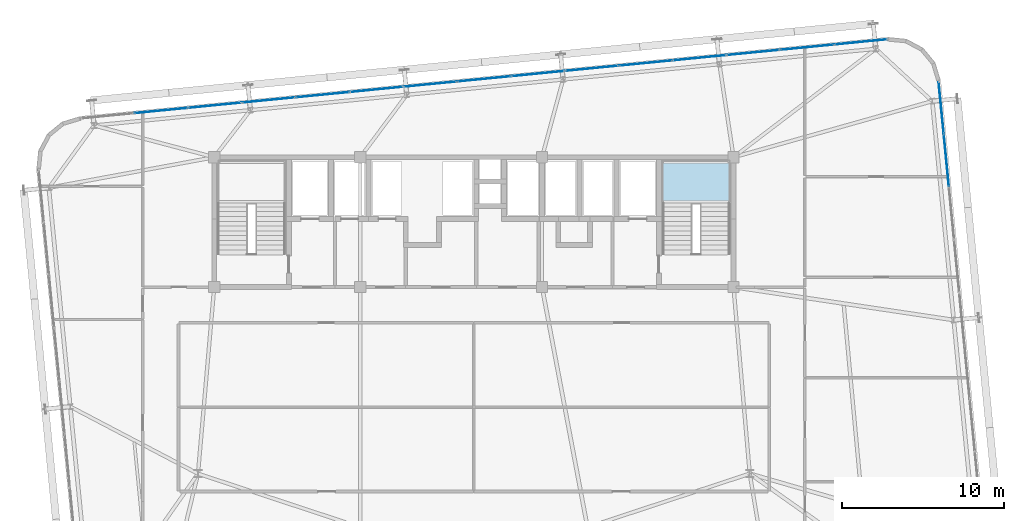
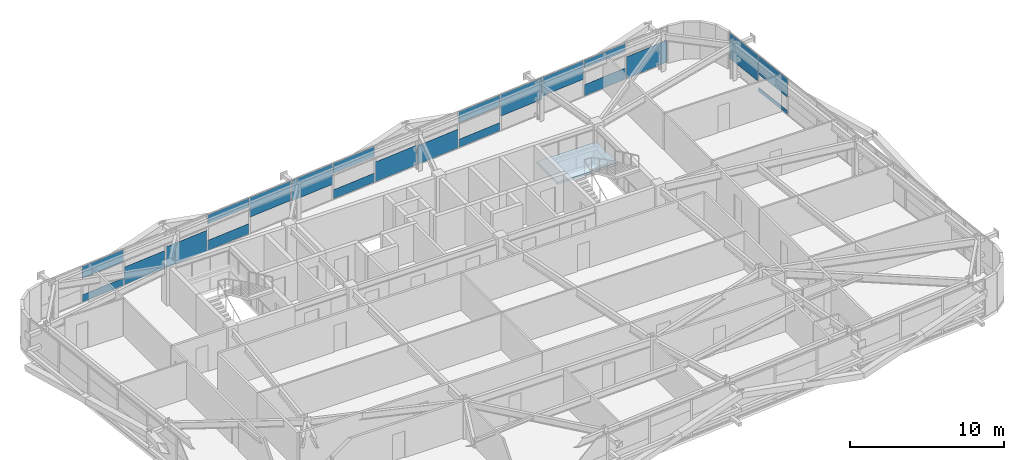
# One storey, part 37 of 52: 22 plates, 1 slab, 3 elements without a shape of their own.
"""IFC4 building model written with IfcOpenShell, lengths in metres."""

from ifc_helpers import new_model, si_unit, direction, frame, origin, origin_2d, place, context, subcontext, project, spatial, polyline, rectangle, outline, extrude, source, transform, mapped, material, layer, layer_set, type_object, element, aggregate, save


model = new_model("IFC4")

# Units and contexts
model_context = context("Model", 3, precision=1e-05, world=origin(), true_north=direction((0.0, 1.0)))
body_context = subcontext(model_context, "Body", "Model", "MODEL_VIEW")
ifc_project = project(units=[si_unit("LENGTHUNIT", "METRE"), si_unit("AREAUNIT", "SQUARE_METRE"), si_unit("VOLUMEUNIT", "CUBIC_METRE"), si_unit("PLANEANGLEUNIT", "RADIAN"), si_unit("MASSUNIT", "GRAM", prefix="KILO")], contexts=[model_context])

# Site, building, storey
site_placement = place(None, origin())
site = spatial("IfcSite", under=ifc_project, at=site_placement, CompositionType="ELEMENT")
building_placement = place(site_placement, origin())
building = spatial("IfcBuilding", under=site, at=building_placement, Name="Taldren Reach Tower", CompositionType="ELEMENT")
storey_placement = place(building_placement, frame((0.0, 0.0, 74.550048828125)))
storey = spatial("IfcBuildingStorey", under=building, at=storey_placement, Name="L22", CompositionType="ELEMENT", Elevation=74.550048828125)

# Stair, slab
ifc_material_1 = material(Name="Concrete S50 (50 MPa)", Category="concrete")
stair_type = type_object("IfcStairType", Name="ST-HT-315", PredefinedType="HALF_TURN_STAIR", material=ifc_material_1)
stair_placement = place(storey_placement, origin())
stair = element("IfcStair", 1, at=stair_placement, inside=storey, type_object=stair_type, Name="Fire-isolated exit stair ST2 L22", PredefinedType="HALF_TURN_STAIR")
ifc_layer_1 = layer(ifc_material_1, 0.179931640625)
ifc_layer_set_1 = layer_set([ifc_layer_1], Name="Concrete S50 (50 MPa)")
slab_type = type_object("IfcSlabType", Name="SL-LAND-180", PredefinedType="LANDING", material=ifc_layer_set_1)
slab_placement = place(storey_placement, frame((0.0, 0.0, 1.39501953125)))
slab = element("IfcSlab", 2, at=slab_placement, type_object=slab_type, Name="ST2 landing 1", PredefinedType="LANDING", context=body_context, shape_type="SweptSolid", body=[
    extrude(outline(polyline([(46.43994140625, 29.135009765625), (50.9599609375, 29.135009765625), (50.9599609375, 31.8701171875), (46.43994140625, 31.8701171875), (46.43994140625, 29.135009765625)])), origin(), (0.0, 0.0, 1.0), 0.179931640625),
])
aggregate(stair, [slab])

# Curtain wall, plates
ifc_material_2 = material(Name="Aluminium and Low-E Glass Unitised System", Category="aluminium")
ifc_layer_2 = layer(ifc_material_2, 0.159912109375)
ifc_layer_set_2 = layer_set([ifc_layer_2], Name="Aluminium and Low-E Glass Unitised System")
curtain_wall_type = type_object("IfcCurtainWallType", Name="CW-SYS-3", PredefinedType="NOTDEFINED", material=ifc_layer_set_2)
curtain_wall_1_placement = place(storey_placement, origin())
curtain_wall_1 = element("IfcCurtainWall", 3, at=curtain_wall_1_placement, inside=storey, type_object=curtain_wall_type, Name="Unitised curtain wall CW-L22-N", PredefinedType="NOTDEFINED")
ifc_material_3 = material(Name="Solar-Control Double Glazed IGU", Category="glass")
ifc_layer_3 = layer(ifc_material_3, 0.031982421875)
ifc_layer_set_3 = layer_set([ifc_layer_3], Name="Solar-Control Double Glazed IGU")
plate_type = type_object("IfcPlateType", Name="CW-PNL-IGU32", PredefinedType="CURTAIN_PANEL", material=ifc_layer_set_3)
shared_shape_1 = source(origin(), body_context, "Body", "SweptSolid", [
    extrude(rectangle(XDim=3.23583984375, YDim=0.031982421875, at=origin_2d()), origin(), (0.0, 0.0, 1.0), 1.72509765625),
])
plate_1_placement = place(storey_placement, frame((58.83740234375, 39.101318359375, 0.054931640625), z_axis=(0.0, 0.0, 1.0), x_axis=(-0.995227390247, -0.097582999046, 0.0)))
plate_1 = element("IfcPlate", 4, at=plate_1_placement, type_object=plate_type, Name="CW-3 panel 1.1 part 1", PredefinedType="CURTAIN_PANEL", context=body_context, shape_type="MappedRepresentation", body=[
    mapped(shared_shape_1, transform((0.0, 0.0, 0.0), scale=1.0)),
])
shared_shape_2 = source(origin(), body_context, "Body", "SweptSolid", [
    extrude(rectangle(XDim=3.268310546875, YDim=0.031982421875, at=origin_2d()), origin(), (0.0, 0.0, 1.0), 0.88818359375),
])
plate_2_placement = place(storey_placement, frame((55.5361328125, 38.777587890625, 0.054931640625), z_axis=(0.0, 0.0, 1.0), x_axis=(-0.995227390247, -0.097582999046, 0.0)))
plate_2 = element("IfcPlate", 5, at=plate_2_placement, type_object=plate_type, Name="CW-3 panel 2.1 part 1", PredefinedType="CURTAIN_PANEL", context=body_context, shape_type="MappedRepresentation", body=[
    mapped(shared_shape_2, transform((0.0, 0.0, 0.0), scale=1.0)),
])
shared_shape_3 = source(origin(), body_context, "Body", "SweptSolid", [
    extrude(rectangle(XDim=3.268310546875, YDim=0.031982421875, at=origin_2d()), origin(), (0.0, 0.0, 1.0), 0.626953125),
])
plate_3_placement = place(storey_placement, frame((55.5361328125, 38.777587890625, 2.248046875), z_axis=(0.0, 0.0, 1.0), x_axis=(-0.995227390247, -0.097582999046, 0.0)))
plate_3 = element("IfcPlate", 6, at=plate_3_placement, type_object=plate_type, Name="CW-3 panel 2.1 part 2", PredefinedType="CURTAIN_PANEL", context=body_context, shape_type="MappedRepresentation", body=[
    mapped(shared_shape_3, transform((0.0, 0.0, 0.0), scale=1.0)),
])
shared_shape_4 = source(origin(), body_context, "Body", "SweptSolid", [
    extrude(rectangle(XDim=3.268310546875, YDim=0.031982421875, at=origin_2d()), origin(), (0.0, 0.0, 1.0), 1.4638671875),
])
plate_4_placement = place(storey_placement, frame((52.21875, 38.452392578125, 1.4111328125), z_axis=(0.0, 0.0, 1.0), x_axis=(-0.995227390247, -0.097582999046, 0.0)))
plate_4 = element("IfcPlate", 7, at=plate_4_placement, type_object=plate_type, Name="CW-3 panel 3.1 part 1", PredefinedType="CURTAIN_PANEL", context=body_context, shape_type="MappedRepresentation", body=[
    mapped(shared_shape_4, transform((0.0, 0.0, 0.0), scale=1.0)),
])
shared_shape_5 = source(origin(), body_context, "Body", "SweptSolid", [
    extrude(rectangle(XDim=3.268310546875, YDim=0.031982421875, at=origin_2d()), origin(), (0.0, 0.0, 1.0), 1.704833984375),
])
plate_5_placement = place(storey_placement, frame((48.9013671875, 38.126953125, 1.169921875), z_axis=(0.0, 0.0, 1.0), x_axis=(-0.995227390247, -0.097582999046, 0.0)))
plate_5 = element("IfcPlate", 8, at=plate_5_placement, type_object=plate_type, Name="CW-3 panel 4.1 part 1", PredefinedType="CURTAIN_PANEL", context=body_context, shape_type="MappedRepresentation", body=[
    mapped(shared_shape_5, transform((0.0, 0.0, 0.0), scale=1.0)),
])
shared_shape_6 = source(origin(), body_context, "Body", "SweptSolid", [
    extrude(rectangle(XDim=3.268310546875, YDim=0.031982421875, at=origin_2d()), origin(), (0.0, 0.0, 1.0), 0.647216796875),
])
plate_6_placement = place(storey_placement, frame((45.583740234375, 37.8017578125, 0.05517578125), z_axis=(0.0, 0.0, 1.0), x_axis=(-0.995227390247, -0.097582999046, 0.0)))
plate_6 = element("IfcPlate", 9, at=plate_6_placement, type_object=plate_type, Name="CW-3 panel 5.1 part 1", PredefinedType="CURTAIN_PANEL", context=body_context, shape_type="MappedRepresentation", body=[
    mapped(shared_shape_6, transform((0.0, 0.0, 0.0), scale=1.0)),
])
shared_shape_7 = source(origin(), body_context, "Body", "SweptSolid", [
    extrude(rectangle(XDim=3.268310546875, YDim=0.031982421875, at=origin_2d()), origin(), (0.0, 0.0, 1.0), 0.867919921875),
])
plate_7_placement = place(storey_placement, frame((45.583740234375, 37.8017578125, 2.0068359375), z_axis=(0.0, 0.0, 1.0), x_axis=(-0.995227390247, -0.097582999046, 0.0)))
plate_7 = element("IfcPlate", 10, at=plate_7_placement, type_object=plate_type, Name="CW-3 panel 5.1 part 2", PredefinedType="CURTAIN_PANEL", context=body_context, shape_type="MappedRepresentation", body=[
    mapped(shared_shape_7, transform((0.0, 0.0, 0.0), scale=1.0)),
])
shared_shape_8 = source(origin(), body_context, "Body", "SweptSolid", [
    extrude(rectangle(XDim=3.268310546875, YDim=0.031982421875, at=origin_2d()), origin(), (0.0, 0.0, 1.0), 1.484130859375),
])
plate_8_placement = place(storey_placement, frame((42.266357421875, 37.4765625, 0.0546875), z_axis=(0.0, 0.0, 1.0), x_axis=(-0.995227390247, -0.097582999046, 0.0)))
plate_8 = element("IfcPlate", 11, at=plate_8_placement, type_object=plate_type, Name="CW-3 panel 6.1 part 1", PredefinedType="CURTAIN_PANEL", context=body_context, shape_type="MappedRepresentation", body=[
    mapped(shared_shape_8, transform((0.0, 0.0, 0.0), scale=1.0)),
])
shared_shape_9 = source(origin(), body_context, "Body", "SweptSolid", [
    extrude(rectangle(XDim=3.268310546875, YDim=0.031982421875, at=origin_2d()), origin(), (0.0, 0.0, 1.0), 1.564453125),
])
plate_9_placement = place(storey_placement, frame((38.948974609375, 37.151123046875, 0.054931640625), z_axis=(0.0, 0.0, 1.0), x_axis=(-0.995227390247, -0.097582999046, 0.0)))
plate_9 = element("IfcPlate", 12, at=plate_9_placement, type_object=plate_type, Name="CW-3 panel 7.1 part 1", PredefinedType="CURTAIN_PANEL", context=body_context, shape_type="MappedRepresentation", body=[
    mapped(shared_shape_9, transform((0.0, 0.0, 0.0), scale=1.0)),
])
shared_shape_10 = source(origin(), body_context, "Body", "SweptSolid", [
    extrude(rectangle(XDim=3.268310546875, YDim=0.031982421875, at=origin_2d()), origin(), (0.0, 0.0, 1.0), 0.7275390625),
])
plate_10_placement = place(storey_placement, frame((35.631591796875, 36.825927734375, 0.054931640625), z_axis=(0.0, 0.0, 1.0), x_axis=(-0.995227390247, -0.097582999046, 0.0)))
plate_10 = element("IfcPlate", 13, at=plate_10_placement, type_object=plate_type, Name="CW-3 panel 8.1 part 1", PredefinedType="CURTAIN_PANEL", context=body_context, shape_type="MappedRepresentation", body=[
    mapped(shared_shape_10, transform((0.0, 0.0, 0.0), scale=1.0)),
])
shared_shape_11 = source(origin(), body_context, "Body", "SweptSolid", [
    extrude(rectangle(XDim=3.268310546875, YDim=0.031982421875, at=origin_2d()), origin(), (0.0, 0.0, 1.0), 0.78759765625),
])
plate_11_placement = place(storey_placement, frame((35.631591796875, 36.825927734375, 2.08740234375), z_axis=(0.0, 0.0, 1.0), x_axis=(-0.995227390247, -0.097582999046, 0.0)))
plate_11 = element("IfcPlate", 14, at=plate_11_placement, type_object=plate_type, Name="CW-3 panel 8.1 part 2", PredefinedType="CURTAIN_PANEL", context=body_context, shape_type="MappedRepresentation", body=[
    mapped(shared_shape_11, transform((0.0, 0.0, 0.0), scale=1.0)),
])
shared_shape_12 = source(origin(), body_context, "Body", "SweptSolid", [
    extrude(rectangle(XDim=3.268310546875, YDim=0.031982421875, at=origin_2d()), origin(), (0.0, 0.0, 1.0), 1.62451171875),
])
plate_12_placement = place(storey_placement, frame((32.314208984375, 36.500732421875, 1.25048828125), z_axis=(0.0, 0.0, 1.0), x_axis=(-0.995227390247, -0.097582999046, 0.0)))
plate_12 = element("IfcPlate", 15, at=plate_12_placement, type_object=plate_type, Name="CW-3 panel 9.1 part 1", PredefinedType="CURTAIN_PANEL", context=body_context, shape_type="MappedRepresentation", body=[
    mapped(shared_shape_12, transform((0.0, 0.0, 0.0), scale=1.0)),
])
shared_shape_13 = source(origin(), body_context, "Body", "SweptSolid", [
    extrude(rectangle(XDim=3.268310546875, YDim=0.031982421875, at=origin_2d()), origin(), (0.0, 0.0, 1.0), 1.544189453125),
])
plate_13_placement = place(storey_placement, frame((28.996826171875, 36.17529296875, 1.3310546875), z_axis=(0.0, 0.0, 1.0), x_axis=(-0.995227390247, -0.097582999046, 0.0)))
plate_13 = element("IfcPlate", 16, at=plate_13_placement, type_object=plate_type, Name="CW-3 panel 10.1 part 1", PredefinedType="CURTAIN_PANEL", context=body_context, shape_type="MappedRepresentation", body=[
    mapped(shared_shape_13, transform((0.0, 0.0, 0.0), scale=1.0)),
])
shared_shape_14 = source(origin(), body_context, "Body", "SweptSolid", [
    extrude(rectangle(XDim=3.268310546875, YDim=0.031982421875, at=origin_2d()), origin(), (0.0, 0.0, 1.0), 0.807861328125),
])
plate_14_placement = place(storey_placement, frame((25.67919921875, 35.85009765625, 0.05517578125), z_axis=(0.0, 0.0, 1.0), x_axis=(-0.995227390247, -0.097582999046, 0.0)))
plate_14 = element("IfcPlate", 17, at=plate_14_placement, type_object=plate_type, Name="CW-3 panel 11.1 part 1", PredefinedType="CURTAIN_PANEL", context=body_context, shape_type="MappedRepresentation", body=[
    mapped(shared_shape_14, transform((0.0, 0.0, 0.0), scale=1.0)),
])
shared_shape_15 = source(origin(), body_context, "Body", "SweptSolid", [
    extrude(rectangle(XDim=3.268310546875, YDim=0.031982421875, at=origin_2d()), origin(), (0.0, 0.0, 1.0), 0.707275390625),
])
plate_15_placement = place(storey_placement, frame((25.67919921875, 35.85009765625, 2.16748046875), z_axis=(0.0, 0.0, 1.0), x_axis=(-0.995227390247, -0.097582999046, 0.0)))
plate_15 = element("IfcPlate", 18, at=plate_15_placement, type_object=plate_type, Name="CW-3 panel 11.1 part 2", PredefinedType="CURTAIN_PANEL", context=body_context, shape_type="MappedRepresentation", body=[
    mapped(shared_shape_15, transform((0.0, 0.0, 0.0), scale=1.0)),
])
shared_shape_16 = source(origin(), body_context, "Body", "SweptSolid", [
    extrude(rectangle(XDim=3.268310546875, YDim=0.031982421875, at=origin_2d()), origin(), (0.0, 0.0, 1.0), 1.644775390625),
])
plate_16_placement = place(storey_placement, frame((22.36181640625, 35.52490234375, 0.05517578125), z_axis=(0.0, 0.0, 1.0), x_axis=(-0.995227390247, -0.097582999046, 0.0)))
plate_16 = element("IfcPlate", 19, at=plate_16_placement, type_object=plate_type, Name="CW-3 panel 12.1 part 1", PredefinedType="CURTAIN_PANEL", context=body_context, shape_type="MappedRepresentation", body=[
    mapped(shared_shape_16, transform((0.0, 0.0, 0.0), scale=1.0)),
])
shared_shape_17 = source(origin(), body_context, "Body", "SweptSolid", [
    extrude(rectangle(XDim=3.268310546875, YDim=0.031982421875, at=origin_2d()), origin(), (0.0, 0.0, 1.0), 1.40380859375),
])
plate_17_placement = place(storey_placement, frame((19.04443359375, 35.199462890625, 0.054931640625), z_axis=(0.0, 0.0, 1.0), x_axis=(-0.995227390247, -0.097582999046, 0.0)))
plate_17 = element("IfcPlate", 20, at=plate_17_placement, type_object=plate_type, Name="CW-3 panel 13.1 part 1", PredefinedType="CURTAIN_PANEL", context=body_context, shape_type="MappedRepresentation", body=[
    mapped(shared_shape_17, transform((0.0, 0.0, 0.0), scale=1.0)),
])
shared_shape_18 = source(origin(), body_context, "Body", "SweptSolid", [
    extrude(rectangle(XDim=3.268310546875, YDim=0.031982421875, at=origin_2d()), origin(), (0.0, 0.0, 1.0), 0.56689453125),
])
plate_18_placement = place(storey_placement, frame((15.72705078125, 34.874267578125, 0.054931640625), z_axis=(0.0, 0.0, 1.0), x_axis=(-0.995227390247, -0.097582999046, 0.0)))
plate_18 = element("IfcPlate", 21, at=plate_18_placement, type_object=plate_type, Name="CW-3 panel 14.1 part 1", PredefinedType="CURTAIN_PANEL", context=body_context, shape_type="MappedRepresentation", body=[
    mapped(shared_shape_18, transform((0.0, 0.0, 0.0), scale=1.0)),
])
shared_shape_19 = source(origin(), body_context, "Body", "SweptSolid", [
    extrude(rectangle(XDim=3.268310546875, YDim=0.031982421875, at=origin_2d()), origin(), (0.0, 0.0, 1.0), 0.9482421875),
])
plate_19_placement = place(storey_placement, frame((15.72705078125, 34.874267578125, 1.9267578125), z_axis=(0.0, 0.0, 1.0), x_axis=(-0.995227390247, -0.097582999046, 0.0)))
plate_19 = element("IfcPlate", 22, at=plate_19_placement, type_object=plate_type, Name="CW-3 panel 14.1 part 2", PredefinedType="CURTAIN_PANEL", context=body_context, shape_type="MappedRepresentation", body=[
    mapped(shared_shape_19, transform((0.0, 0.0, 0.0), scale=1.0)),
])
aggregate(curtain_wall_1, [plate_1, plate_2, plate_3, plate_4, plate_5, plate_6, plate_7, plate_8, plate_9, plate_10, plate_11, plate_12, plate_13, plate_14, plate_15, plate_16, plate_17, plate_18, plate_19])

curtain_wall_2_placement = place(storey_placement, origin())
curtain_wall_2 = element("IfcCurtainWall", 23, at=curtain_wall_2_placement, inside=storey, type_object=curtain_wall_type, Name="Unitised curtain wall CW-L22-E", PredefinedType="NOTDEFINED")
shared_shape_20 = source(origin(), body_context, "Body", "SweptSolid", [
    extrude(rectangle(XDim=3.18017578125, YDim=0.031982421875, at=origin_2d()), origin(), (0.0, 0.0, 1.0), 2.049560546875),
])
plate_20_placement = place(storey_placement, frame((63.79931640625, 35.051025390625, 0.8251953125), z_axis=(0.0, 0.0, 1.0), x_axis=(-0.09758274098, 0.99522741555, 0.0)))
plate_20 = element("IfcPlate", 24, at=plate_20_placement, type_object=plate_type, Name="CW-3 panel 9.1 part 1", PredefinedType="CURTAIN_PANEL", context=body_context, shape_type="MappedRepresentation", body=[
    mapped(shared_shape_20, transform((0.0, 0.0, 0.0), scale=1.0)),
])
shared_shape_21 = source(origin(), body_context, "Body", "SweptSolid", [
    extrude(rectangle(XDim=3.212890625, YDim=0.031982421875, at=origin_2d()), origin(), (0.0, 0.0, 1.0), 0.3046875),
])
plate_21_placement = place(storey_placement, frame((64.117431640625, 31.80517578125, 0.054931640625), z_axis=(0.0, 0.0, 1.0), x_axis=(-0.09758274098, 0.99522741555, 0.0)))
plate_21 = element("IfcPlate", 25, at=plate_21_placement, type_object=plate_type, Name="CW-3 panel 8.1 part 1", PredefinedType="CURTAIN_PANEL", context=body_context, shape_type="MappedRepresentation", body=[
    mapped(shared_shape_21, transform((0.0, 0.0, 0.0), scale=1.0)),
])
shared_shape_22 = source(origin(), body_context, "Body", "SweptSolid", [
    extrude(rectangle(XDim=3.212890625, YDim=0.031982421875, at=origin_2d()), origin(), (0.0, 0.0, 1.0), 1.461669921875),
])
plate_22_placement = place(storey_placement, frame((64.117431640625, 31.80517578125, 1.4130859375), z_axis=(0.0, 0.0, 1.0), x_axis=(-0.09758274098, 0.99522741555, 0.0)))
plate_22 = element("IfcPlate", 26, at=plate_22_placement, type_object=plate_type, Name="CW-3 panel 8.1 part 2", PredefinedType="CURTAIN_PANEL", context=body_context, shape_type="MappedRepresentation", body=[
    mapped(shared_shape_22, transform((0.0, 0.0, 0.0), scale=1.0)),
])
aggregate(curtain_wall_2, [plate_21, plate_22, plate_20])

save(model, "model.ifc")
